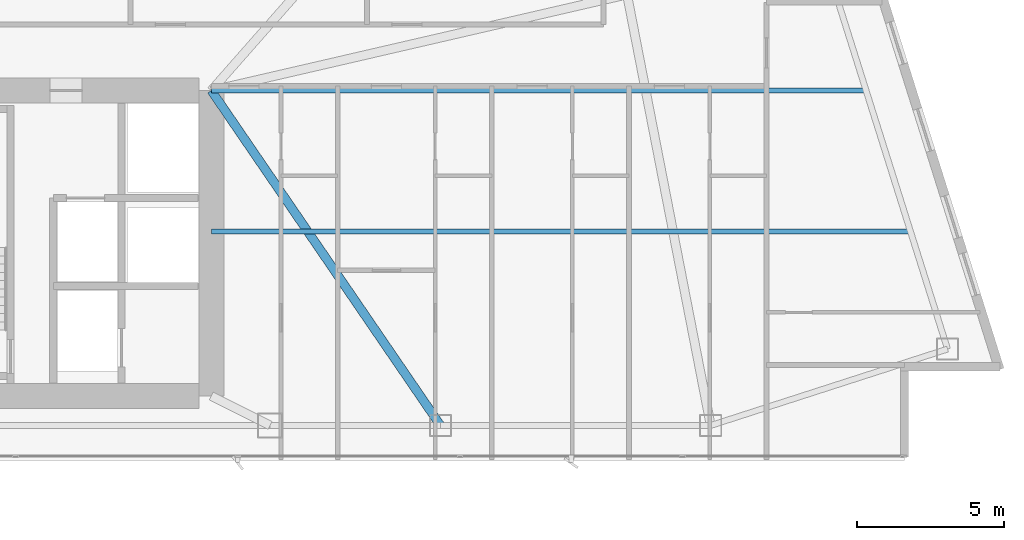
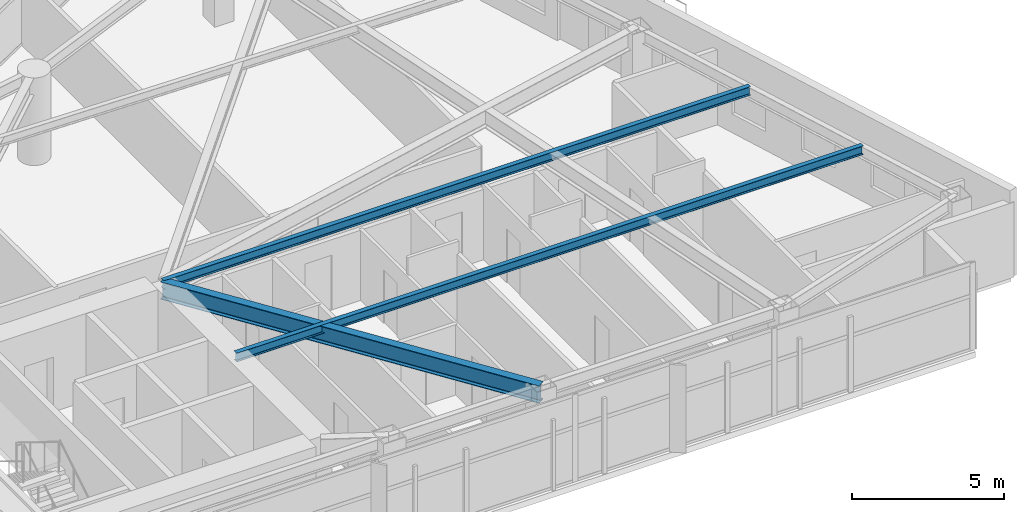
# One storey, part 13 of 28: 3 beams.
"""IFC4 building model written with IfcOpenShell, lengths in metres."""

import ifcopenshell
import ifcopenshell.guid

model = None  # the IFC model being written
_history = None  # IfcOwnerHistory: only IFC2X3 demands one
_inside = {}  # id of a spatial element -> (the spatial element, [elements in it])
_under = {}  # id of a project, library or spatial element -> (it, [spatial elements below it])
_declared = {}  # id of a project -> (the project, [libraries it declares])
_typed = {}  # id of a type object -> (the type object, [elements of that type])
_made_of = {}  # id of a material, layer set ... -> (it, [elements and type objects made of it])


def new_model(schema):
    """Start an empty IFC model of exactly this schema.

    Asked for "IFC4X3", IfcOpenShell would pick the latest addendum, in which some entities
    have other attributes; the version numbers below select the first issue.
    IFC2X3 requires an IfcOwnerHistory on every rooted entity: one is made here for all.
    """
    global model, _history
    if schema == "IFC4X3":
        model = ifcopenshell.file(schema_version=(4, 3, 0, 0))
    else:
        model = ifcopenshell.file(schema=schema)
    _inside.clear()
    _under.clear()
    _declared.clear()
    _typed.clear()
    _made_of.clear()
    _history = None
    if model.schema == "IFC2X3":
        org = make("IfcOrganization", Name="unknown")
        user = make(
            "IfcPersonAndOrganization",
            ThePerson=make("IfcPerson", FamilyName="unknown"),
            TheOrganization=org,
        )
        app = make(
            "IfcApplication",
            ApplicationDeveloper=org,
            Version="unknown",
            ApplicationFullName="unknown",
            ApplicationIdentifier="unknown",
        )
        _history = make(
            "IfcOwnerHistory",
            OwningUser=user,
            OwningApplication=app,
            ChangeAction="ADDED",
            CreationDate=0,
        )
    return model


def make(cls, **values):
    """One entity of the class cls with the attributes given. An attribute that is None is left unset."""
    return model.create_entity(
        cls, **{name: value for name, value in values.items() if value is not None}
    )


def rooted(cls, **values):
    """An entity with a GlobalId (a new one), such as an element, a storey or a relation."""
    return make(cls, GlobalId=ifcopenshell.guid.new(), OwnerHistory=_history, **values)


def si_unit(unit_type, name, prefix=None):
    """IfcSIUnit, for example si_unit("LENGTHUNIT", "METRE", prefix="MILLI")."""
    return make("IfcSIUnit", UnitType=unit_type, Prefix=prefix, Name=name)


def assignment(units):
    """IfcUnitAssignment: the units of a project."""
    return None if units is None else make("IfcUnitAssignment", Units=units)


def point(xyz):
    """IfcCartesianPoint."""
    return None if xyz is None else make("IfcCartesianPoint", Coordinates=xyz)


def direction(xyz):
    """IfcDirection."""
    return None if xyz is None else make("IfcDirection", DirectionRatios=xyz)


def frame(location, z_axis=None, x_axis=None):
    """IfcAxis2Placement3D, a coordinate frame: its origin and axes. An axis left out is left unset."""
    return make(
        "IfcAxis2Placement3D",
        Location=point(location),
        Axis=direction(z_axis),
        RefDirection=direction(x_axis),
    )


def frame_2d(location, x_axis=None):
    """IfcAxis2Placement2D, a coordinate frame in the plane: its origin and x axis."""
    return make(
        "IfcAxis2Placement2D", Location=point(location), RefDirection=direction(x_axis)
    )


def origin():
    """The frame at (0, 0, 0) with its axes left unset."""
    return frame((0.0, 0.0, 0.0))


def origin_2d():
    """The frame at (0, 0) in the plane with its x axis left unset."""
    return frame_2d((0.0, 0.0))


def place(relative_to, where):
    """IfcLocalPlacement: puts the frame where relative to a parent placement (None: the world)."""
    return make(
        "IfcLocalPlacement", PlacementRelTo=relative_to, RelativePlacement=where
    )


def context(
    kind, dimensions, precision=None, world=None, true_north=None, identifier=None
):
    """IfcGeometricRepresentationContext, for example the 3D "Model" context."""
    return make(
        "IfcGeometricRepresentationContext",
        ContextIdentifier=identifier,
        ContextType=kind,
        CoordinateSpaceDimension=dimensions,
        Precision=precision,
        WorldCoordinateSystem=world,
        TrueNorth=true_north,
    )


def subcontext(parent, identifier, kind, view, scale=None):
    """IfcGeometricRepresentationSubContext, for example "Body" below "Model"."""
    return make(
        "IfcGeometricRepresentationSubContext",
        ContextIdentifier=identifier,
        ContextType=kind,
        ParentContext=parent,
        TargetScale=scale,
        TargetView=view,
    )


def project(units=None, contexts=None):
    """IfcProject with its units and contexts."""
    return rooted(
        "IfcProject",
        Name="project",
        RepresentationContexts=contexts,
        UnitsInContext=assignment(units),
    )


def spatial(cls, under=None, at=None, **own):
    """A site, building, storey or space (cls), placed at a placement, below another one or the project."""
    s = rooted(cls, ObjectPlacement=at, **own)
    if under is not None:
        _under.setdefault(under.id(), (under, []))[1].append(s)
    return s


def profile(cls, at=None, kind="AREA", **sizes):
    """A parametric profile (cls). Its sizes go by their IFC names, for example OverallWidth=200.0."""
    return make(cls, ProfileType=kind, Position=at, **sizes)


def i_section(**sizes):
    """IfcIShapeProfileDef."""
    return profile("IfcIShapeProfileDef", **sizes)


def extrude(swept, where, along, depth):
    """IfcExtrudedAreaSolid: the profile swept, set in the frame where, extruded along a direction by depth."""
    return make(
        "IfcExtrudedAreaSolid",
        SweptArea=swept,
        Position=where,
        ExtrudedDirection=direction(along),
        Depth=depth,
    )


def shape(context_of_items, identifier, shape_type, items):
    """IfcShapeRepresentation: the items that make up one representation, for example the "Body"."""
    return make(
        "IfcShapeRepresentation",
        ContextOfItems=context_of_items,
        RepresentationIdentifier=identifier,
        RepresentationType=shape_type,
        Items=items,
    )


def material(Name=None, Category=None):
    """IfcMaterial."""
    return make("IfcMaterial", Name=Name, Category=Category)


def material_profile(
    of_material, cross_section, Name=None, Category=None, Priority=None
):
    """IfcMaterialProfile: a cross section and its material."""
    return make(
        "IfcMaterialProfile",
        Name=Name,
        Material=of_material,
        Profile=cross_section,
        Priority=Priority,
        Category=Category,
    )


def profile_set(profiles, Name=None, composite=None):
    """IfcMaterialProfileSet."""
    return make(
        "IfcMaterialProfileSet",
        Name=Name,
        MaterialProfiles=profiles,
        CompositeProfile=composite,
    )


def made_of(thing, what):
    """Note that an element or type object is made of a material, layer set ...; save() writes the relation."""
    if what is not None:
        _made_of.setdefault(what.id(), (what, []))[1].append(thing)
    return thing


def type_object(cls, material=None, **own):
    """A type object (cls), such as IfcWallType, which elements share."""
    return made_of(rooted(cls, **own), material)


def element(
    cls,
    number,
    at=None,
    inside=None,
    cuts=None,
    type_object=None,
    material=None,
    context=None,
    identifier="Body",
    shape_type=None,
    held_by="IfcProductDefinitionShape",
    body=None,
    shapes=None,
    **own,
):
    """One element of the class cls, such as IfcWall. Its Tag is "e" and its number.

    at: its placement. inside: the storey or other place that contains it. cuts: it is an
    opening in that element (IfcRelVoidsElement). A single representation is given by context,
    identifier, shape_type and body (its items); several are given by shapes. held_by: the class
    of the entity that holds the representations. save() writes the other relations.
    """
    e = rooted(cls, Tag="e%d" % number, ObjectPlacement=at, **own)
    if body is not None:
        shapes = [shape(context, identifier, shape_type, body)]
    if shapes is not None:
        e.Representation = make(held_by, Representations=shapes)
    if inside is not None:
        _inside.setdefault(inside.id(), (inside, []))[1].append(e)
    if cuts is not None:
        rooted(
            "IfcRelVoidsElement", RelatingBuildingElement=cuts, RelatedOpeningElement=e
        )
    if type_object is not None:
        _typed.setdefault(type_object.id(), (type_object, []))[1].append(e)
    return made_of(e, material)


def aggregate(whole, parts):
    """IfcRelAggregates: a whole, such as a stair, and the parts it consists of."""
    return rooted("IfcRelAggregates", RelatingObject=whole, RelatedObjects=parts)


def save(model, path):
    """Write the relations noted so far, then the file.

    IfcRelAggregates (storeys below a building ...), IfcRelContainedInSpatialStructure (elements
    in a storey), IfcRelDefinesByType, IfcRelAssociatesMaterial and IfcRelDeclares: one each for
    every whole, place, type object, material and project.
    """
    for whole, parts in _under.values():
        aggregate(whole, parts)
    for where, things in _inside.values():
        rooted(
            "IfcRelContainedInSpatialStructure",
            RelatedElements=things,
            RelatingStructure=where,
        )
    for kind, things in _typed.values():
        rooted("IfcRelDefinesByType", RelatedObjects=things, RelatingType=kind)
    for what, things in _made_of.values():
        rooted("IfcRelAssociatesMaterial", RelatedObjects=things, RelatingMaterial=what)
    for by, libraries in _declared.values():
        rooted("IfcRelDeclares", RelatingContext=by, RelatedDefinitions=libraries)
    model.write(path)


model = new_model("IFC4")

# Units and contexts
model_context = context("Model", 3, precision=1e-05, world=origin(), true_north=direction((0.0, 1.0)))
body_context = subcontext(model_context, "Body", "Model", "MODEL_VIEW")
ifc_project = project(units=[si_unit("LENGTHUNIT", "METRE"), si_unit("AREAUNIT", "SQUARE_METRE"), si_unit("VOLUMEUNIT", "CUBIC_METRE"), si_unit("PLANEANGLEUNIT", "RADIAN"), si_unit("MASSUNIT", "GRAM", prefix="KILO")], contexts=[model_context])

# Site, building, storey
site_placement = place(None, origin())
site = spatial("IfcSite", under=ifc_project, at=site_placement, CompositionType="ELEMENT")
building_placement = place(site_placement, origin())
building = spatial("IfcBuilding", under=site, at=building_placement, Name="Calvorn Quay Hotel", CompositionType="ELEMENT")
storey_placement = place(building_placement, frame((0.0, 0.0, 135.39990234375)))
storey = spatial("IfcBuildingStorey", under=building, at=storey_placement, Name="L33", CompositionType="ELEMENT", Elevation=135.39990234375)

# Beams
ifc_material_1 = material(Name="Steel Q390GJC", Category="steel")
ifc_material_profile_1 = material_profile(ifc_material_1, i_section(OverallWidth=0.300048828125, OverallDepth=0.699951171875, WebThickness=0.012939453125, FlangeThickness=0.02392578125, FilletRadius=0.02392578125, at=origin_2d()), Name="HN700x300x13x24")
ifc_profile_set_1 = profile_set([ifc_material_profile_1], Name="Steel Q390GJC")
beam_type_1 = type_object("IfcBeamType", Name="BM-GIRD-MAIN", PredefinedType="BEAM", material=ifc_profile_set_1)
beam_1_placement = place(storey_placement, frame((40.199951171875, 3.60009765625, 3.170166015625), z_axis=(-0.564689618177, 0.825303359452, 0.0), x_axis=(-0.825303359452, -0.564689618177, 0.0)))
element("IfcBeam", 1, at=beam_1_placement, inside=storey, type_object=beam_type_1, Name="Beam BG-L33-E6", PredefinedType="BEAM", context=body_context, shape_type="SweptSolid", body=[
    extrude(i_section(OverallWidth=0.300048828125, OverallDepth=0.699951171875, WebThickness=0.012939453125, FlangeThickness=0.02392578125, FilletRadius=0.02392578125, at=origin_2d()), origin(), (0.0, 0.0, 1.0), 13.81298828125),
])
ifc_material_2 = material(Name="Steel Q355B", Category="steel")
ifc_material_profile_2 = material_profile(ifc_material_2, i_section(OverallWidth=0.175048828125, OverallDepth=0.35009765625, WebThickness=0.007080078125, FlangeThickness=0.010986328125, FilletRadius=0.013916015625, at=origin_2d()), Name="HN350x175x7x11")
ifc_profile_set_2 = profile_set([ifc_material_profile_2], Name="Steel Q355B")
beam_type_2 = type_object("IfcBeamType", Name="BM-JOIST-SEC", PredefinedType="JOIST", material=ifc_profile_set_2)
beam_2_placement = place(storey_placement, frame((32.39990234375, 10.199951171875, 3.34521484375), z_axis=(1.0, 0.0, 0.0), x_axis=(0.0, 1.0, 0.0)))
element("IfcBeam", 2, at=beam_2_placement, inside=storey, type_object=beam_type_2, Name="Beam BJ-L33-E1", PredefinedType="JOIST", context=body_context, shape_type="SweptSolid", body=[
    extrude(i_section(OverallWidth=0.175048828125, OverallDepth=0.35009765625, WebThickness=0.007080078125, FlangeThickness=0.010986328125, FilletRadius=0.013916015625, at=origin_2d()), origin(), (0.0, 0.0, 1.0), 23.801025390625),
])
beam_3_placement = place(storey_placement, frame((32.39990234375, 15.0, 3.34521484375), z_axis=(1.0, 0.0, 0.0), x_axis=(0.0, 1.0, 0.0)))
element("IfcBeam", 3, at=beam_3_placement, inside=storey, type_object=beam_type_2, Name="Beam BJ-L33-E2", PredefinedType="JOIST", context=body_context, shape_type="SweptSolid", body=[
    extrude(i_section(OverallWidth=0.175048828125, OverallDepth=0.35009765625, WebThickness=0.007080078125, FlangeThickness=0.010986328125, FilletRadius=0.013916015625, at=origin_2d()), origin(), (0.0, 0.0, 1.0), 22.2880859375),
])

save(model, "model.ifc")
